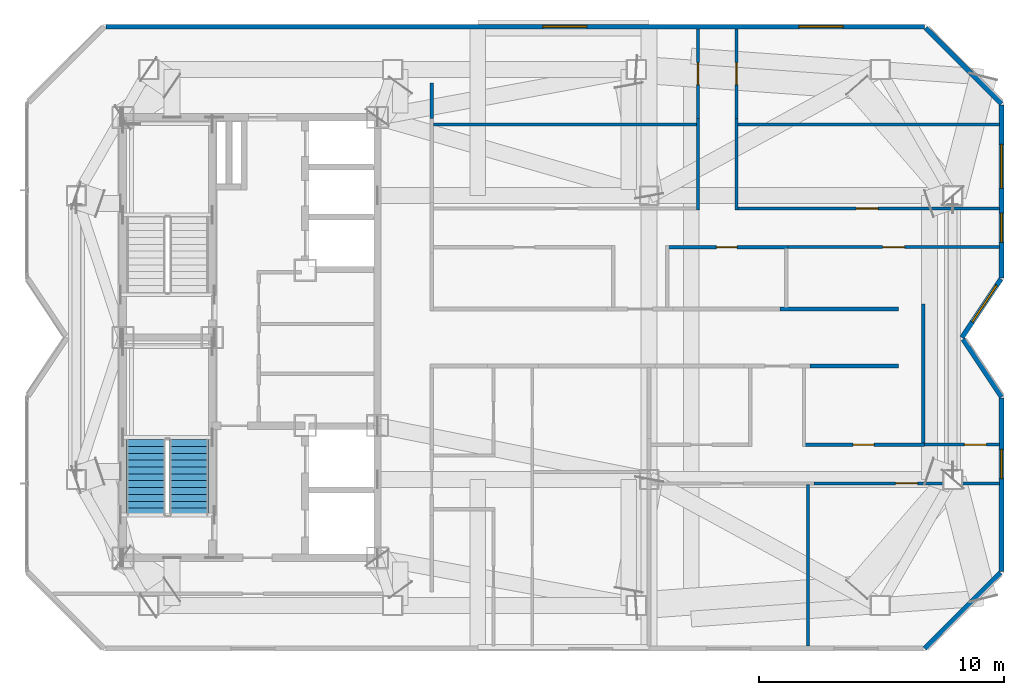
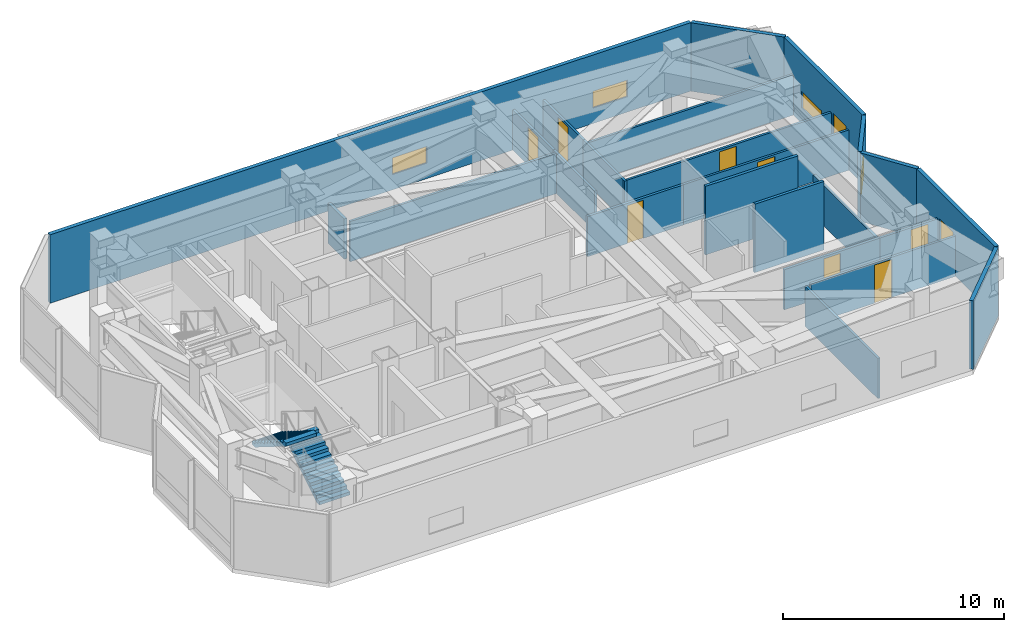
# One storey, part 12 of 15: 24 walls, 8 doors, 6 windows, 2 stair flights, 14 openings, 1 element without a shape of its own.
"""IFC4 building model written with IfcOpenShell, lengths in metres."""

from ifc_helpers import new_model, si_unit, direction, frame, frame_2d, origin, place, context, subcontext, project, spatial, polyline, rectangle, outline, extrude, material, layer, layer_set, type_object, element, fill, aggregate, save


model = new_model("IFC4")

# Units and contexts
model_context = context("Model", 3, precision=1e-05, world=origin(), true_north=direction((0.0, 1.0)))
body_context = subcontext(model_context, "Body", "Model", "MODEL_VIEW")
ifc_project = project(units=[si_unit("LENGTHUNIT", "METRE"), si_unit("AREAUNIT", "SQUARE_METRE"), si_unit("VOLUMEUNIT", "CUBIC_METRE"), si_unit("PLANEANGLEUNIT", "RADIAN"), si_unit("MASSUNIT", "GRAM", prefix="KILO")], contexts=[model_context])

# Site, building, storey
site_placement = place(None, origin())
site = spatial("IfcSite", under=ifc_project, at=site_placement, CompositionType="ELEMENT")
building_placement = place(site_placement, origin())
building = spatial("IfcBuilding", under=site, at=building_placement, Name="Khamvora Tower", CompositionType="ELEMENT")
storey_placement = place(building_placement, frame((0.0, 0.0, 290.449951171875)))
storey = spatial("IfcBuildingStorey", under=building, at=storey_placement, Name="L74", CompositionType="ELEMENT", Elevation=290.449951171875)

# Walls
ifc_material_1 = material(Name="Fire-Rated Drywall and Steel Stud", Category="steel")
ifc_layer_1 = layer(ifc_material_1, 0.14990234375)
ifc_layer_set_1 = layer_set([ifc_layer_1], Name="Fire-Rated Drywall and Steel Stud")
wall_type_1 = type_object("IfcWallType", Name="WAL-CORR-150", PredefinedType="STANDARD", material=ifc_layer_set_1)
wall_1_placement = place(storey_placement, frame((60.68994140625, 26.8349609375, 0.0), z_axis=(0.0, 0.0, 1.0), x_axis=(-1.0, 0.0, 0.0)))
element("IfcWall", 1, at=wall_1_placement, inside=storey, type_object=wall_type_1, Name="L74 interior partition wall 016", PredefinedType="STANDARD", context=body_context, shape_type="SweptSolid", body=[
    extrude(rectangle(XDim=3.60986328125, YDim=0.14990234375, at=frame_2d((1.804931640625, 0.0))), origin(), (0.0, 0.0, 1.0), 3.780029296875),
])
wall_2_placement = place(storey_placement, frame((55.85205078125, 29.1650390625, 0.0), z_axis=(0.0, 0.0, 1.0), x_axis=(1.0, 0.0, 0.0)))
element("IfcWall", 2, at=wall_2_placement, inside=storey, type_object=wall_type_1, Name="L74 interior partition wall 017", PredefinedType="STANDARD", context=body_context, shape_type="SweptSolid", body=[
    extrude(rectangle(XDim=4.837890625, YDim=0.14990234375, at=frame_2d((2.4189453125, 0.0))), origin(), (0.0, 0.0, 1.0), 3.780029296875),
])
wall_3_placement = place(storey_placement, frame((41.614990234375, 38.39990234375, 0.0), z_axis=(0.0, 0.0, 1.0), x_axis=(0.0, -1.0, 0.0)))
element("IfcWall", 3, at=wall_3_placement, inside=storey, type_object=wall_type_1, Name="L74 interior partition wall 024", PredefinedType="STANDARD", context=body_context, shape_type="SweptSolid", body=[
    extrude(rectangle(XDim=1.43994140625, YDim=0.14990234375, at=frame_2d((0.719970703125, 0.0))), origin(), (0.0, 0.0, 1.0), 2.219970703125),
])

# Wall, openings, windows
ifc_material_2 = material(Name="Precast concrete C40/50", Category="concrete")
ifc_layer_2 = layer(ifc_material_2, 0.199951171875)
ifc_layer_set_2 = layer_set([ifc_layer_2], Name="Precast concrete C40/50")
wall_type_2 = type_object("IfcWallType", Name="WAL-EXT-200", PredefinedType="STANDARD", material=ifc_layer_set_2)
wall_4_placement = place(storey_placement, frame((28.302001953125, 40.699951171875, 0.0), z_axis=(0.0, 0.0, 1.0), x_axis=(1.0, 0.0, 0.0)))
wall_4 = element("IfcWall", 4, at=wall_4_placement, inside=storey, type_object=wall_type_2, Name="L74 exterior facade wall 07.1", PredefinedType="STANDARD", context=body_context, shape_type="SweptSolid", body=[
    extrude(rectangle(XDim=33.45703125, YDim=0.199951171875, at=frame_2d((16.728515625, 0.0))), origin(), (0.0, 0.0, 1.0), 3.780029296875),
])
opening_1_placement = place(wall_4_placement, frame((17.85498046875, 0.0, 0.85009765625)))
opening_1 = element("IfcOpeningElement", 5, at=opening_1_placement, cuts=wall_4, Name="Opening WN-09", PredefinedType="OPENING", context=body_context, shape_type="SweptSolid", body=[
    extrude(rectangle(XDim=1.800048828125, YDim=0.919921875, at=frame_2d((0.89990234375, 0.4599609375))), frame((0.0, 0.10986328125, 0.0), z_axis=(0.0, -1.0, 0.0), x_axis=(1.0, 0.0, 0.0)), (0.0, 0.0, 1.0), 0.219970703125),
])
opening_2_placement = place(wall_4_placement, frame((28.320068359375, 0.0, 0.85009765625)))
opening_2 = element("IfcOpeningElement", 6, at=opening_2_placement, cuts=wall_4, Name="Opening WN-09", PredefinedType="OPENING", context=body_context, shape_type="SweptSolid", body=[
    extrude(rectangle(XDim=1.800048828125, YDim=0.919921875, at=frame_2d((0.89990234375, 0.4599609375))), frame((0.0, 0.10986328125, 0.0), z_axis=(0.0, -1.0, 0.0), x_axis=(1.0, 0.0, 0.0)), (0.0, 0.0, 1.0), 0.219970703125),
])
ifc_material_3 = material(Name="Low-E Laminated Double Glazing", Category="glass")
window_type_1 = type_object("IfcWindowType", Name="WIN-CLR-1800x920", PartitioningType="SINGLE_PANEL", PredefinedType="WINDOW", material=ifc_material_3)
window_1_placement = place(opening_1_placement, origin())
window_1 = element("IfcWindow", 7, at=window_1_placement, inside=storey, type_object=window_type_1, Name="L74 vision window 07.1.01", OverallHeight=0.919921875, OverallWidth=1.800048828125, PartitioningType="SINGLE_PANEL", PredefinedType="WINDOW", context=body_context, shape_type="SweptSolid", body=[
    extrude(rectangle(XDim=1.800048828125, YDim=0.919921875, at=frame_2d((0.89990234375, 0.4599609375))), frame((0.0, 0.030029296875, 0.0), z_axis=(0.0, -1.0, 0.0), x_axis=(1.0, 0.0, 0.0)), (0.0, 0.0, 1.0), 0.06005859375),
])
fill(opening_1, window_1)
window_2_placement = place(opening_2_placement, origin())
window_2 = element("IfcWindow", 8, at=window_2_placement, inside=storey, type_object=window_type_1, Name="L74 vision window 07.1.02", OverallHeight=0.919921875, OverallWidth=1.800048828125, PartitioningType="SINGLE_PANEL", PredefinedType="WINDOW", context=body_context, shape_type="SweptSolid", body=[
    extrude(rectangle(XDim=1.800048828125, YDim=0.919921875, at=frame_2d((0.89990234375, 0.4599609375))), frame((0.0, 0.030029296875, 0.0), z_axis=(0.0, -1.0, 0.0), x_axis=(1.0, 0.0, 0.0)), (0.0, 0.0, 1.0), 0.06005859375),
])
fill(opening_2, window_2)

# Wall
wall_5_placement = place(storey_placement, frame((61.802978515625, 40.656005859375, 0.0), z_axis=(0.0, 0.0, 1.0), x_axis=(0.707106781187, -0.707106781187, 0.0)))
element("IfcWall", 9, at=wall_5_placement, inside=storey, type_object=wall_type_2, Name="L74 exterior facade wall 08.1", PredefinedType="STANDARD", context=body_context, shape_type="SweptSolid", body=[
    extrude(rectangle(XDim=4.379638671875, YDim=0.199951171875, at=frame_2d((2.18994140625, 0.0))), origin(), (0.0, 0.0, 1.0), 3.780029296875),
])

# Wall, openings, windows
wall_6_placement = place(storey_placement, frame((64.89990234375, 37.4970703125, 0.0), z_axis=(0.0, 0.0, 1.0), x_axis=(0.0, -1.0, 0.0)))
wall_6 = element("IfcWall", 10, at=wall_6_placement, inside=storey, type_object=wall_type_2, Name="L74 exterior facade wall 09.1", PredefinedType="STANDARD", context=body_context, shape_type="SweptSolid", body=[
    extrude(rectangle(XDim=7.067138671875, YDim=0.199951171875, at=frame_2d((3.53369140625, 0.0))), origin(), (0.0, 0.0, 1.0), 3.780029296875),
])
opening_3_placement = place(wall_6_placement, frame((4.412109375, 0.0, 0.780029296875)))
opening_3 = element("IfcOpeningElement", 11, at=opening_3_placement, cuts=wall_6, Name="Opening WN-03", PredefinedType="OPENING", context=body_context, shape_type="SweptSolid", body=[
    extrude(rectangle(XDim=1.199951171875, YDim=1.5, at=frame_2d((0.60009765625, 0.75))), frame((0.0, 0.10986328125, 0.0), z_axis=(0.0, -1.0, 0.0), x_axis=(1.0, 0.0, 0.0)), (0.0, 0.0, 1.0), 0.219970703125),
])
opening_4_placement = place(wall_6_placement, frame((1.60400390625, 0.0, 0.85009765625)))
opening_4 = element("IfcOpeningElement", 12, at=opening_4_placement, cuts=wall_6, Name="Opening WN-09", PredefinedType="OPENING", context=body_context, shape_type="SweptSolid", body=[
    extrude(rectangle(XDim=1.800048828125, YDim=0.919921875, at=frame_2d((0.89990234375, 0.4599609375))), frame((0.0, 0.10986328125, 0.0), z_axis=(0.0, -1.0, 0.0), x_axis=(1.0, 0.0, 0.0)), (0.0, 0.0, 1.0), 0.219970703125),
])
window_3_placement = place(opening_4_placement, origin())
window_3 = element("IfcWindow", 13, at=window_3_placement, inside=storey, type_object=window_type_1, Name="L74 vision window 09.1.02", OverallHeight=0.919921875, OverallWidth=1.800048828125, PartitioningType="SINGLE_PANEL", PredefinedType="WINDOW", context=body_context, shape_type="SweptSolid", body=[
    extrude(rectangle(XDim=1.800048828125, YDim=0.919921875, at=frame_2d((0.89990234375, 0.4599609375))), frame((0.0, 0.030029296875, 0.0), z_axis=(0.0, -1.0, 0.0), x_axis=(1.0, 0.0, 0.0)), (0.0, 0.0, 1.0), 0.06005859375),
])
fill(opening_4, window_3)
window_type_2 = type_object("IfcWindowType", Name="WIN-VIS-1200x1500", PartitioningType="SINGLE_PANEL", PredefinedType="WINDOW", material=ifc_material_3)
window_4_placement = place(opening_3_placement, origin())
window_4 = element("IfcWindow", 14, at=window_4_placement, inside=storey, type_object=window_type_2, Name="L74 vision window 09.1.01", OverallHeight=1.5, OverallWidth=1.199951171875, PartitioningType="SINGLE_PANEL", PredefinedType="WINDOW", context=body_context, shape_type="SweptSolid", body=[
    extrude(rectangle(XDim=1.199951171875, YDim=1.5, at=frame_2d((0.60009765625, 0.75))), frame((0.0, 0.030029296875, 0.0), z_axis=(0.0, -1.0, 0.0), x_axis=(1.0, 0.0, 0.0)), (0.0, 0.0, 1.0), 0.06005859375),
])
fill(opening_3, window_4)

# Wall, opening, window
wall_7_placement = place(storey_placement, frame((64.875, 30.39208984375, 0.0), z_axis=(0.0, 0.0, 1.0), x_axis=(-0.554758983133, -0.832011100066, 0.0)))
wall_7 = element("IfcWall", 15, at=wall_7_placement, inside=storey, type_object=wall_type_2, Name="L74 exterior facade wall 10.1", PredefinedType="STANDARD", context=body_context, shape_type="SweptSolid", body=[
    extrude(rectangle(XDim=2.875, YDim=0.199951171875, at=frame_2d((1.4375, 0.0))), origin(), (0.0, 0.0, 1.0), 3.780029296875),
])
opening_5_placement = place(wall_7_placement, frame((0.30908203125, 0.0, 0.85009765625)))
opening_5 = element("IfcOpeningElement", 16, at=opening_5_placement, cuts=wall_7, Name="Opening WN-09", PredefinedType="OPENING", context=body_context, shape_type="SweptSolid", body=[
    extrude(rectangle(XDim=1.800048828125, YDim=0.919921875, at=frame_2d((0.89990234375, 0.4599609375))), frame((0.0, 0.10986328125, 0.0), z_axis=(0.0, -1.0, 0.0), x_axis=(1.0, 0.0, 0.0)), (0.0, 0.0, 1.0), 0.219970703125),
])
window_5_placement = place(opening_5_placement, origin())
window_5 = element("IfcWindow", 17, at=window_5_placement, inside=storey, type_object=window_type_1, Name="L74 vision window 10.1.01", OverallHeight=0.919921875, OverallWidth=1.800048828125, PartitioningType="SINGLE_PANEL", PredefinedType="WINDOW", context=body_context, shape_type="SweptSolid", body=[
    extrude(rectangle(XDim=1.800048828125, YDim=0.919921875, at=frame_2d((0.89990234375, 0.4599609375))), frame((0.0, 0.030029296875, 0.0), z_axis=(0.0, -1.0, 0.0), x_axis=(1.0, 0.0, 0.0)), (0.0, 0.0, 1.0), 0.06005859375),
])
fill(opening_5, window_5)

# Wall
wall_8_placement = place(storey_placement, frame((63.325927734375, 27.930908203125, 0.0), z_axis=(0.0, 0.0, 1.0), x_axis=(0.554720052174, -0.832037056696, 0.0)))
element("IfcWall", 18, at=wall_8_placement, inside=storey, type_object=wall_type_2, Name="L74 exterior facade wall 11.1", PredefinedType="STANDARD", context=body_context, shape_type="SweptSolid", body=[
    extrude(rectangle(XDim=2.83740234375, YDim=0.199951171875, at=frame_2d((1.418701171875, 0.0))), origin(), (0.0, 0.0, 1.0), 3.780029296875),
])

# Wall, opening, window
wall_9_placement = place(storey_placement, frame((64.89990234375, 25.52392578125, 0.0), z_axis=(0.0, 0.0, 1.0), x_axis=(0.0, -1.0, 0.0)))
wall_9 = element("IfcWall", 19, at=wall_9_placement, inside=storey, type_object=wall_type_2, Name="L74 exterior facade wall 12.1", PredefinedType="STANDARD", context=body_context, shape_type="SweptSolid", body=[
    extrude(rectangle(XDim=7.0830078125, YDim=0.199951171875, at=frame_2d((3.54150390625, 0.0))), origin(), (0.0, 0.0, 1.0), 3.780029296875),
])
opening_6_placement = place(wall_9_placement, frame((2.092041015625, 0.0, 0.780029296875)))
opening_6 = element("IfcOpeningElement", 20, at=opening_6_placement, cuts=wall_9, Name="Opening WN-03", PredefinedType="OPENING", context=body_context, shape_type="SweptSolid", body=[
    extrude(rectangle(XDim=1.199951171875, YDim=1.5, at=frame_2d((0.60009765625, 0.75))), frame((0.0, 0.10986328125, 0.0), z_axis=(0.0, -1.0, 0.0), x_axis=(1.0, 0.0, 0.0)), (0.0, 0.0, 1.0), 0.219970703125),
])
window_6_placement = place(opening_6_placement, origin())
window_6 = element("IfcWindow", 21, at=window_6_placement, inside=storey, type_object=window_type_2, Name="L74 vision window 12.1.01", OverallHeight=1.5, OverallWidth=1.199951171875, PartitioningType="SINGLE_PANEL", PredefinedType="WINDOW", context=body_context, shape_type="SweptSolid", body=[
    extrude(rectangle(XDim=1.199951171875, YDim=1.5, at=frame_2d((0.60009765625, 0.75))), frame((0.0, 0.030029296875, 0.0), z_axis=(0.0, -1.0, 0.0), x_axis=(1.0, 0.0, 0.0)), (0.0, 0.0, 1.0), 0.06005859375),
])
fill(opening_6, window_6)

# Wall
wall_10_placement = place(storey_placement, frame((64.85498046875, 18.39599609375, 0.0), z_axis=(0.0, 0.0, 1.0), x_axis=(-0.707106781187, -0.707106781187, 0.0)))
element("IfcWall", 22, at=wall_10_placement, inside=storey, type_object=wall_type_2, Name="L74 exterior facade wall 13.1", PredefinedType="STANDARD", context=body_context, shape_type="SweptSolid", body=[
    extrude(rectangle(XDim=4.37841796875, YDim=0.199951171875, at=frame_2d((2.189208984375, 0.0))), origin(), (0.0, 0.0, 1.0), 3.780029296875),
])

# Wall, opening, door
ifc_material_4 = material(Name="Gypsum Plasterboard Partition", Category="gypsum")
ifc_layer_3 = layer(ifc_material_4, 0.1201171875)
ifc_layer_set_3 = layer_set([ifc_layer_3], Name="Gypsum Plasterboard Partition")
wall_type_3 = type_object("IfcWallType", Name="WAL-PART-120", PredefinedType="PARTITIONING", material=ifc_layer_set_3)
wall_11_placement = place(storey_placement, frame((64.80810546875, 23.6220703125, 0.0), z_axis=(0.0, 0.0, 1.0), x_axis=(-1.0, 0.0, 0.0)))
wall_11 = element("IfcWall", 23, at=wall_11_placement, inside=storey, type_object=wall_type_3, Name="L74 interior partition wall 036", PredefinedType="PARTITIONING", context=body_context, shape_type="SweptSolid", body=[
    extrude(rectangle(XDim=3.047119140625, YDim=0.1201171875, at=frame_2d((1.5234375, 0.0))), origin(), (0.0, 0.0, 1.0), 2.219970703125),
])
opening_7_placement = place(wall_11_placement, frame((0.530029296875, 0.0, 0.0)))
opening_7 = element("IfcOpeningElement", 24, at=opening_7_placement, cuts=wall_11, Name="Opening D-RM1", PredefinedType="OPENING", context=body_context, shape_type="SweptSolid", body=[
    extrude(rectangle(XDim=0.89990234375, YDim=2.10009765625, at=frame_2d((0.449951171875, 1.050048828125))), frame((0.0, 0.070068359375, 0.0), z_axis=(0.0, -1.0, 0.0), x_axis=(1.0, 0.0, 0.0)), (0.0, 0.0, 1.0), 0.14013671875),
])
ifc_material_5 = material(Name="Powder-Coated Steel and Hardwood Leaf", Category="steel")
door_type_1 = type_object("IfcDoorType", Name="DOR-ROOM-900", OperationType="NOTDEFINED", PredefinedType="DOOR", material=ifc_material_5)
door_1_placement = place(opening_7_placement, origin())
door_1 = element("IfcDoor", 25, at=door_1_placement, inside=storey, type_object=door_type_1, Name="L74 interior door 74DW2-74DH", OperationType="SINGLE_SWING_RIGHT", OverallHeight=2.10009765625, OverallWidth=0.89990234375, PredefinedType="DOOR", context=body_context, shape_type="SweptSolid", body=[
    extrude(rectangle(XDim=0.89990234375, YDim=2.10009765625, at=frame_2d((0.449951171875, 1.050048828125))), frame((0.0, 0.02490234375, 0.0), z_axis=(0.0, -1.0, 0.0), x_axis=(1.0, 0.0, 0.0)), (0.0, 0.0, 1.0), 0.050048828125),
])
fill(opening_7, door_1)

wall_12_placement = place(storey_placement, frame((64.80810546875, 22.0419921875, 0.0), z_axis=(0.0, 0.0, 1.0), x_axis=(-1.0, 0.0, 0.0)))
wall_12 = element("IfcWall", 26, at=wall_12_placement, inside=storey, type_object=wall_type_3, Name="L74 interior partition wall 043", PredefinedType="PARTITIONING", context=body_context, shape_type="SweptSolid", body=[
    extrude(rectangle(XDim=7.567138671875, YDim=0.1201171875, at=frame_2d((3.78369140625, 0.0))), origin(), (0.0, 0.0, 1.0), 2.219970703125),
])
opening_8_placement = place(wall_12_placement, frame((3.3330078125, 0.0, 0.0)))
opening_8 = element("IfcOpeningElement", 27, at=opening_8_placement, cuts=wall_12, Name="Opening D-RM1", PredefinedType="OPENING", context=body_context, shape_type="SweptSolid", body=[
    extrude(rectangle(XDim=0.89990234375, YDim=2.10009765625, at=frame_2d((0.449951171875, 1.050048828125))), frame((0.0, 0.070068359375, 0.0), z_axis=(0.0, -1.0, 0.0), x_axis=(1.0, 0.0, 0.0)), (0.0, 0.0, 1.0), 0.14013671875),
])
door_2_placement = place(opening_8_placement, origin())
door_2 = element("IfcDoor", 28, at=door_2_placement, inside=storey, type_object=door_type_1, Name="L74 interior door 74DH-74DR2", OperationType="SINGLE_SWING_RIGHT", OverallHeight=2.10009765625, OverallWidth=0.89990234375, PredefinedType="DOOR", context=body_context, shape_type="SweptSolid", body=[
    extrude(rectangle(XDim=0.89990234375, YDim=2.10009765625, at=frame_2d((0.449951171875, 1.050048828125))), frame((0.0, 0.02490234375, 0.0), z_axis=(0.0, -1.0, 0.0), x_axis=(1.0, 0.0, 0.0)), (0.0, 0.0, 1.0), 0.050048828125),
])
fill(opening_8, door_2)

# Wall
wall_13_placement = place(storey_placement, frame((56.991943359375, 21.988037109375, 0.0), z_axis=(0.0, 0.0, 1.0), x_axis=(0.0, -1.0, 0.0)))
element("IfcWall", 29, at=wall_13_placement, inside=storey, type_object=wall_type_3, Name="L74 interior partition wall 044", PredefinedType="PARTITIONING", context=body_context, shape_type="SweptSolid", body=[
    extrude(rectangle(XDim=6.595947265625, YDim=0.1201171875, at=frame_2d((3.2978515625, 0.0))), origin(), (0.0, 0.0, 1.0), 2.219970703125),
])

# Wall, opening, door
wall_14_placement = place(storey_placement, frame((56.166015625, 31.695068359375, 0.0), z_axis=(0.0, 0.0, 1.0), x_axis=(1.0, 0.0, 0.0)))
wall_14 = element("IfcWall", 30, at=wall_14_placement, inside=storey, type_object=wall_type_3, Name="L74 interior partition wall 045", PredefinedType="PARTITIONING", context=body_context, shape_type="SweptSolid", body=[
    extrude(rectangle(XDim=8.64208984375, YDim=0.1201171875, at=frame_2d((4.321044921875, 0.0))), origin(), (0.0, 0.0, 1.0), 2.219970703125),
])
opening_9_placement = place(wall_14_placement, frame((3.87109375, 0.0, 0.0)))
opening_9 = element("IfcOpeningElement", 31, at=opening_9_placement, cuts=wall_14, Name="Opening D-RM1", PredefinedType="OPENING", context=body_context, shape_type="SweptSolid", body=[
    extrude(rectangle(XDim=0.89990234375, YDim=2.10009765625, at=frame_2d((0.449951171875, 1.050048828125))), frame((0.0, 0.070068359375, 0.0), z_axis=(0.0, -1.0, 0.0), x_axis=(1.0, 0.0, 0.0)), (0.0, 0.0, 1.0), 0.14013671875),
])
door_3_placement = place(opening_9_placement, origin())
door_3 = element("IfcDoor", 32, at=door_3_placement, inside=storey, type_object=door_type_1, Name="L74 interior door 74EW2-74EH", OperationType="SINGLE_SWING_LEFT", OverallHeight=2.10009765625, OverallWidth=0.89990234375, PredefinedType="DOOR", context=body_context, shape_type="SweptSolid", body=[
    extrude(rectangle(XDim=0.89990234375, YDim=2.10009765625, at=frame_2d((0.449951171875, 1.050048828125))), frame((0.0, 0.02490234375, 0.0), z_axis=(0.0, -1.0, 0.0), x_axis=(1.0, 0.0, 0.0)), (0.0, 0.0, 1.0), 0.050048828125),
])
fill(opening_9, door_3)

# Wall
wall_15_placement = place(storey_placement, frame((52.5, 33.2099609375, 0.0), z_axis=(0.0, 0.0, 1.0), x_axis=(0.0, 1.0, 0.0)))
element("IfcWall", 33, at=wall_15_placement, inside=storey, type_object=wall_type_3, Name="L74 interior partition wall 052", PredefinedType="PARTITIONING", context=body_context, shape_type="SweptSolid", body=[
    extrude(rectangle(XDim=3.75, YDim=0.1201171875, at=frame_2d((1.875, 0.0))), origin(), (0.0, 0.0, 1.0), 2.219970703125),
])

# Wall, opening, door
wall_16_placement = place(storey_placement, frame((52.5, 36.9599609375, 0.0), z_axis=(0.0, 0.0, 1.0), x_axis=(0.0, 1.0, 0.0)))
wall_16 = element("IfcWall", 34, at=wall_16_placement, inside=storey, type_object=wall_type_3, Name="L74 interior partition wall 053", PredefinedType="PARTITIONING", context=body_context, shape_type="SweptSolid", body=[
    extrude(rectangle(XDim=3.64794921875, YDim=0.1201171875, at=frame_2d((1.823974609375, 0.0))), origin(), (0.0, 0.0, 1.0), 2.219970703125),
])
opening_10_placement = place(wall_16_placement, frame((1.3740234375, 0.0, 0.0)))
opening_10 = element("IfcOpeningElement", 35, at=opening_10_placement, cuts=wall_16, Name="Opening D-RM1", PredefinedType="OPENING", context=body_context, shape_type="SweptSolid", body=[
    extrude(rectangle(XDim=0.89990234375, YDim=2.10009765625, at=frame_2d((0.449951171875, 1.050048828125))), frame((0.0, 0.070068359375, 0.0), z_axis=(0.0, -1.0, 0.0), x_axis=(1.0, 0.0, 0.0)), (0.0, 0.0, 1.0), 0.14013671875),
])
door_4_placement = place(opening_10_placement, origin())
door_4 = element("IfcDoor", 36, at=door_4_placement, inside=storey, type_object=door_type_1, Name="L74 interior door 74EH-74ER2", OperationType="SINGLE_SWING_LEFT", OverallHeight=2.10009765625, OverallWidth=0.89990234375, PredefinedType="DOOR", context=body_context, shape_type="SweptSolid", body=[
    extrude(rectangle(XDim=0.89990234375, YDim=2.10009765625, at=frame_2d((0.449951171875, 1.050048828125))), frame((0.0, 0.02490234375, 0.0), z_axis=(0.0, -1.0, 0.0), x_axis=(1.0, 0.0, 0.0)), (0.0, 0.0, 1.0), 0.050048828125),
])
fill(opening_10, door_4)

# Wall
wall_17_placement = place(storey_placement, frame((54.070068359375, 36.9599609375, 0.0), z_axis=(0.0, 0.0, 1.0), x_axis=(0.0, -1.0, 0.0)))
element("IfcWall", 37, at=wall_17_placement, inside=storey, type_object=wall_type_3, Name="L74 interior partition wall 054", PredefinedType="PARTITIONING", context=body_context, shape_type="SweptSolid", body=[
    extrude(rectangle(XDim=3.75, YDim=0.1201171875, at=frame_2d((1.875, 0.0))), origin(), (0.0, 0.0, 1.0), 2.219970703125),
])

# Wall, opening, door
wall_18_placement = place(storey_placement, frame((54.0048828125, 33.27490234375, 0.0), z_axis=(0.0, 0.0, 1.0), x_axis=(1.0, 0.0, 0.0)))
wall_18 = element("IfcWall", 38, at=wall_18_placement, inside=storey, type_object=wall_type_3, Name="L74 interior partition wall 055", PredefinedType="PARTITIONING", context=body_context, shape_type="SweptSolid", body=[
    extrude(rectangle(XDim=10.80322265625, YDim=0.1201171875, at=frame_2d((5.401611328125, 0.0))), origin(), (0.0, 0.0, 1.0), 2.219970703125),
])
opening_11_placement = place(wall_18_placement, frame((4.951904296875, 0.0, 0.0)))
opening_11 = element("IfcOpeningElement", 39, at=opening_11_placement, cuts=wall_18, Name="Opening D-RM1", PredefinedType="OPENING", context=body_context, shape_type="SweptSolid", body=[
    extrude(rectangle(XDim=0.89990234375, YDim=2.10009765625, at=frame_2d((0.449951171875, 1.050048828125))), frame((0.0, 0.070068359375, 0.0), z_axis=(0.0, -1.0, 0.0), x_axis=(1.0, 0.0, 0.0)), (0.0, 0.0, 1.0), 0.14013671875),
])
door_5_placement = place(opening_11_placement, origin())
door_5 = element("IfcDoor", 40, at=door_5_placement, inside=storey, type_object=door_type_1, Name="L74 interior door 74EH-74ER3", OperationType="SINGLE_SWING_RIGHT", OverallHeight=2.10009765625, OverallWidth=0.89990234375, PredefinedType="DOOR", context=body_context, shape_type="SweptSolid", body=[
    extrude(rectangle(XDim=0.89990234375, YDim=2.10009765625, at=frame_2d((0.449951171875, 1.050048828125))), frame((0.0, 0.02490234375, 0.0), z_axis=(0.0, -1.0, 0.0), x_axis=(1.0, 0.0, 0.0)), (0.0, 0.0, 1.0), 0.050048828125),
])
fill(opening_11, door_5)

wall_19_placement = place(storey_placement, frame((54.070068359375, 40.60791015625, 0.0), z_axis=(0.0, 0.0, 1.0), x_axis=(0.0, -1.0, 0.0)))
wall_19 = element("IfcWall", 41, at=wall_19_placement, inside=storey, type_object=wall_type_3, Name="L74 interior partition wall 056", PredefinedType="PARTITIONING", context=body_context, shape_type="SweptSolid", body=[
    extrude(rectangle(XDim=3.64794921875, YDim=0.1201171875, at=frame_2d((1.823974609375, 0.0))), origin(), (0.0, 0.0, 1.0), 2.219970703125),
])
opening_12_placement = place(wall_19_placement, frame((1.3740234375, 0.0, 0.0)))
opening_12 = element("IfcOpeningElement", 42, at=opening_12_placement, cuts=wall_19, Name="Opening D-RM1", PredefinedType="OPENING", context=body_context, shape_type="SweptSolid", body=[
    extrude(rectangle(XDim=0.89990234375, YDim=2.10009765625, at=frame_2d((0.449951171875, 1.050048828125))), frame((0.0, 0.070068359375, 0.0), z_axis=(0.0, -1.0, 0.0), x_axis=(1.0, 0.0, 0.0)), (0.0, 0.0, 1.0), 0.14013671875),
])
door_6_placement = place(opening_12_placement, origin())
door_6 = element("IfcDoor", 43, at=door_6_placement, inside=storey, type_object=door_type_1, Name="L74 interior door 74EH-74ER4", OperationType="SINGLE_SWING_LEFT", OverallHeight=2.10009765625, OverallWidth=0.89990234375, PredefinedType="DOOR", context=body_context, shape_type="SweptSolid", body=[
    extrude(rectangle(XDim=0.89990234375, YDim=2.10009765625, at=frame_2d((0.449951171875, 1.050048828125))), frame((0.0, 0.02490234375, 0.0), z_axis=(0.0, -1.0, 0.0), x_axis=(1.0, 0.0, 0.0)), (0.0, 0.0, 1.0), 0.050048828125),
])
fill(opening_12, door_6)

# Walls
wall_20_placement = place(storey_placement, frame((41.681884765625, 36.7109375, 0.0), z_axis=(0.0, 0.0, 1.0), x_axis=(1.0, 0.0, 0.0)))
element("IfcWall", 44, at=wall_20_placement, inside=storey, type_object=wall_type_3, Name="L74 interior partition wall 057", PredefinedType="PARTITIONING", context=body_context, shape_type="SweptSolid", body=[
    extrude(rectangle(XDim=10.76416015625, YDim=0.1201171875, at=frame_2d((5.382080078125, 0.0))), origin(), (0.0, 0.0, 1.0), 2.219970703125),
])
wall_21_placement = place(storey_placement, frame((54.1240234375, 36.7109375, 0.0), z_axis=(0.0, 0.0, 1.0), x_axis=(1.0, 0.0, 0.0)))
element("IfcWall", 45, at=wall_21_placement, inside=storey, type_object=wall_type_3, Name="L74 interior partition wall 058", PredefinedType="PARTITIONING", context=body_context, shape_type="SweptSolid", body=[
    extrude(rectangle(XDim=10.68408203125, YDim=0.1201171875, at=frame_2d((5.342041015625, 0.0))), origin(), (0.0, 0.0, 1.0), 2.219970703125),
])
ifc_material_6 = material(Name="Moisture-Resistant Plasterboard Partition", Category="gypsum")
ifc_layer_4 = layer(ifc_material_6, 0.135009765625)
ifc_layer_set_4 = layer_set([ifc_layer_4], Name="Moisture-Resistant Plasterboard Partition")
wall_type_4 = type_object("IfcWallType", Name="WAL-WET-135", PredefinedType="PARTITIONING", material=ifc_layer_set_4)
wall_22_placement = place(storey_placement, frame((61.696044921875, 23.68701171875, 0.0), z_axis=(0.0, 0.0, 1.0), x_axis=(0.0, 1.0, 0.0)))
element("IfcWall", 46, at=wall_22_placement, inside=storey, type_object=wall_type_4, Name="L74 interior partition wall 037", PredefinedType="PARTITIONING", context=body_context, shape_type="SweptSolid", body=[
    extrude(rectangle(XDim=5.68310546875, YDim=0.135009765625, at=frame_2d((2.841552734375, 0.0))), origin(), (0.0, 0.0, 1.0), 2.219970703125),
])

# Wall, opening, door
wall_23_placement = place(storey_placement, frame((56.76611328125, 23.6220703125, 0.0), z_axis=(0.0, 0.0, 1.0), x_axis=(1.0, 0.0, 0.0)))
wall_23 = element("IfcWall", 47, at=wall_23_placement, inside=storey, type_object=wall_type_4, Name="L74 interior partition wall 041", PredefinedType="PARTITIONING", context=body_context, shape_type="SweptSolid", body=[
    extrude(rectangle(XDim=4.994873046875, YDim=0.135009765625, at=frame_2d((2.49755859375, 0.0))), origin(), (0.0, 0.0, 1.0), 2.219970703125),
])
opening_13_placement = place(wall_23_placement, frame((2.072998046875, 0.0, 0.0)))
opening_13 = element("IfcOpeningElement", 48, at=opening_13_placement, cuts=wall_23, Name="Opening D-RM2", PredefinedType="OPENING", context=body_context, shape_type="SweptSolid", body=[
    extrude(rectangle(XDim=0.85009765625, YDim=2.10009765625, at=frame_2d((0.425048828125, 1.050048828125))), frame((0.0, 0.077392578125, 0.0), z_axis=(0.0, -1.0, 0.0), x_axis=(1.0, 0.0, 0.0)), (0.0, 0.0, 1.0), 0.155029296875),
])
door_type_2 = type_object("IfcDoorType", Name="DOR-ROOM-850", OperationType="NOTDEFINED", PredefinedType="DOOR", material=ifc_material_5)
door_7_placement = place(opening_13_placement, origin())
door_7 = element("IfcDoor", 49, at=door_7_placement, inside=storey, type_object=door_type_2, Name="L74 interior door 74DH-74DK", OperationType="SINGLE_SWING_RIGHT", OverallHeight=2.10009765625, OverallWidth=0.85009765625, PredefinedType="DOOR", context=body_context, shape_type="SweptSolid", body=[
    extrude(rectangle(XDim=0.85009765625, YDim=2.10009765625, at=frame_2d((0.425048828125, 1.050048828125))), frame((0.0, 0.02490234375, 0.0), z_axis=(0.0, -1.0, 0.0), x_axis=(1.0, 0.0, 0.0)), (0.0, 0.0, 1.0), 0.050048828125),
])
fill(opening_13, door_7)

wall_24_placement = place(storey_placement, frame((56.166015625, 31.695068359375, 0.0), z_axis=(0.0, 0.0, 1.0), x_axis=(-1.0, 0.0, 0.0)))
wall_24 = element("IfcWall", 50, at=wall_24_placement, inside=storey, type_object=wall_type_4, Name="L74 interior partition wall 047", PredefinedType="PARTITIONING", context=body_context, shape_type="SweptSolid", body=[
    extrude(rectangle(XDim=4.9951171875, YDim=0.135009765625, at=frame_2d((2.49755859375, 0.0))), origin(), (0.0, 0.0, 1.0), 2.219970703125),
])
opening_14_placement = place(wall_24_placement, frame((2.072998046875, 0.0, 0.0)))
opening_14 = element("IfcOpeningElement", 51, at=opening_14_placement, cuts=wall_24, Name="Opening D-WC1", PredefinedType="OPENING", context=body_context, shape_type="SweptSolid", body=[
    extrude(rectangle(XDim=0.85009765625, YDim=2.10009765625, at=frame_2d((0.425048828125, 1.050048828125))), frame((0.0, 0.077392578125, 0.0), z_axis=(0.0, -1.0, 0.0), x_axis=(1.0, 0.0, 0.0)), (0.0, 0.0, 1.0), 0.155029296875),
])
door_type_3 = type_object("IfcDoorType", Name="DOR-WET-850", OperationType="NOTDEFINED", PredefinedType="DOOR", material=ifc_material_5)
door_8_placement = place(opening_14_placement, origin())
door_8 = element("IfcDoor", 52, at=door_8_placement, inside=storey, type_object=door_type_3, Name="L74 interior door 74EH-74EB", OperationType="SINGLE_SWING_RIGHT", OverallHeight=2.10009765625, OverallWidth=0.85009765625, PredefinedType="DOOR", context=body_context, shape_type="SweptSolid", body=[
    extrude(rectangle(XDim=0.85009765625, YDim=2.10009765625, at=frame_2d((0.425048828125, 1.050048828125))), frame((0.0, 0.02490234375, 0.0), z_axis=(0.0, -1.0, 0.0), x_axis=(1.0, 0.0, 0.0)), (0.0, 0.0, 1.0), 0.050048828125),
])
fill(opening_14, door_8)

# Stair, stair flights
ifc_material_7 = material(Name="Concrete C40/50", Category="concrete")
stair_type = type_object("IfcStairType", Name="STR-ST-01", PredefinedType="HALF_TURN_STAIR", material=ifc_material_7)
stair_placement = place(storey_placement, origin())
stair = element("IfcStair", 53, at=stair_placement, inside=storey, type_object=stair_type, Name="L74 South Tower Exit Stair ST-01", PredefinedType="HALF_TURN_STAIR")
stair_flight_type = type_object("IfcStairFlightType", Name="STF-ST-01", PredefinedType="STRAIGHT", material=ifc_material_7)
stair_flight_1_placement = place(storey_placement, frame((31.699951171875, 20.75, 0.0), z_axis=(0.0, 0.0, 1.0), x_axis=(0.0, 1.0, 0.0)))
stair_flight_1 = element("IfcStairFlight", 54, at=stair_flight_1_placement, type_object=stair_flight_type, Name="ST-01 flight 1", NumberOfRisers=12, NumberOfTreads=11, PredefinedType="STRAIGHT", RiserHeight=0.175, TreadLength=0.28, context=body_context, shape_type="SweptSolid", body=[
    extrude(outline(polyline([(0.0, 0.0), (0.0, 0.175048828125), (0.280029296875, 0.175048828125), (0.280029296875, 0.35009765625), (0.56005859375, 0.35009765625), (0.56005859375, 0.52490234375), (0.840087890625, 0.52490234375), (0.840087890625, 0.699951171875), (1.1201171875, 0.699951171875), (1.1201171875, 0.875), (1.39990234375, 0.875), (1.39990234375, 1.050048828125), (1.679931640625, 1.050048828125), (1.679931640625, 1.22509765625), (1.9599609375, 1.22509765625), (1.9599609375, 1.39990234375), (2.239990234375, 1.39990234375), (2.239990234375, 1.574951171875), (2.52001953125, 1.574951171875), (2.52001953125, 1.75), (2.800048828125, 1.75), (2.800048828125, 1.925048828125), (3.080078125, 1.925048828125), (3.080078125, 2.10009765625), (3.080078125, 1.748291015625), (0.28271484375, 0.0), (0.0, 0.0)])), frame((0.0, 0.800048828125, 0.0), z_axis=(0.0, -1.0, 0.0), x_axis=(1.0, 0.0, 0.0)), (0.0, 0.0, 1.0), 1.60009765625),
])
stair_flight_2_placement = place(storey_placement, frame((29.949951171875, 23.830078125, 2.10009765625), z_axis=(0.0, 0.0, 1.0), x_axis=(0.0, -1.0, 0.0)))
stair_flight_2 = element("IfcStairFlight", 55, at=stair_flight_2_placement, type_object=stair_flight_type, Name="ST-01 flight 2", NumberOfRisers=12, NumberOfTreads=11, PredefinedType="STRAIGHT", RiserHeight=0.175, TreadLength=0.28, context=body_context, shape_type="SweptSolid", body=[
    extrude(outline(polyline([(0.0, 0.0), (0.0, 0.175048828125), (0.280029296875, 0.175048828125), (0.280029296875, 0.35009765625), (0.56005859375, 0.35009765625), (0.56005859375, 0.52490234375), (0.840087890625, 0.52490234375), (0.840087890625, 0.699951171875), (1.1201171875, 0.699951171875), (1.1201171875, 0.875), (1.39990234375, 0.875), (1.39990234375, 1.050048828125), (1.679931640625, 1.050048828125), (1.679931640625, 1.22509765625), (1.9599609375, 1.22509765625), (1.9599609375, 1.39990234375), (2.239990234375, 1.39990234375), (2.239990234375, 1.574951171875), (2.52001953125, 1.574951171875), (2.52001953125, 1.75), (2.800048828125, 1.75), (2.800048828125, 1.925048828125), (3.080078125, 1.925048828125), (3.080078125, 2.10009765625), (3.080078125, 1.748291015625), (0.28271484375, 0.0), (0.0, 0.0)])), frame((0.0, 0.800048828125, 0.0), z_axis=(0.0, -1.0, 0.0), x_axis=(1.0, 0.0, 0.0)), (0.0, 0.0, 1.0), 1.60009765625),
])
aggregate(stair, [stair_flight_1, stair_flight_2])

save(model, "model.ifc")
